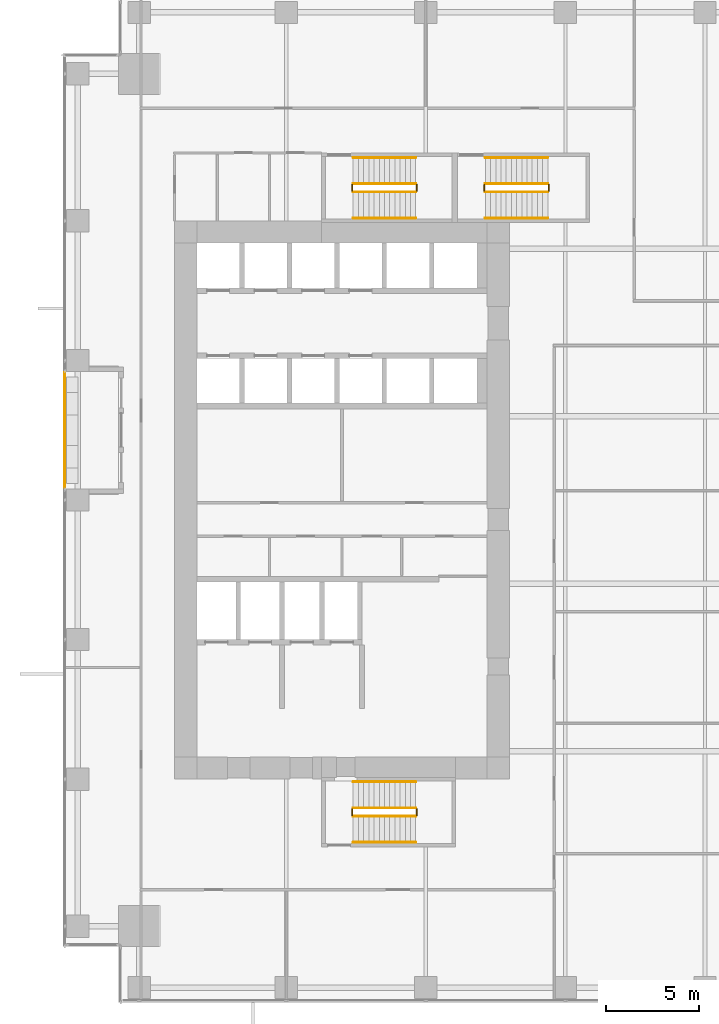
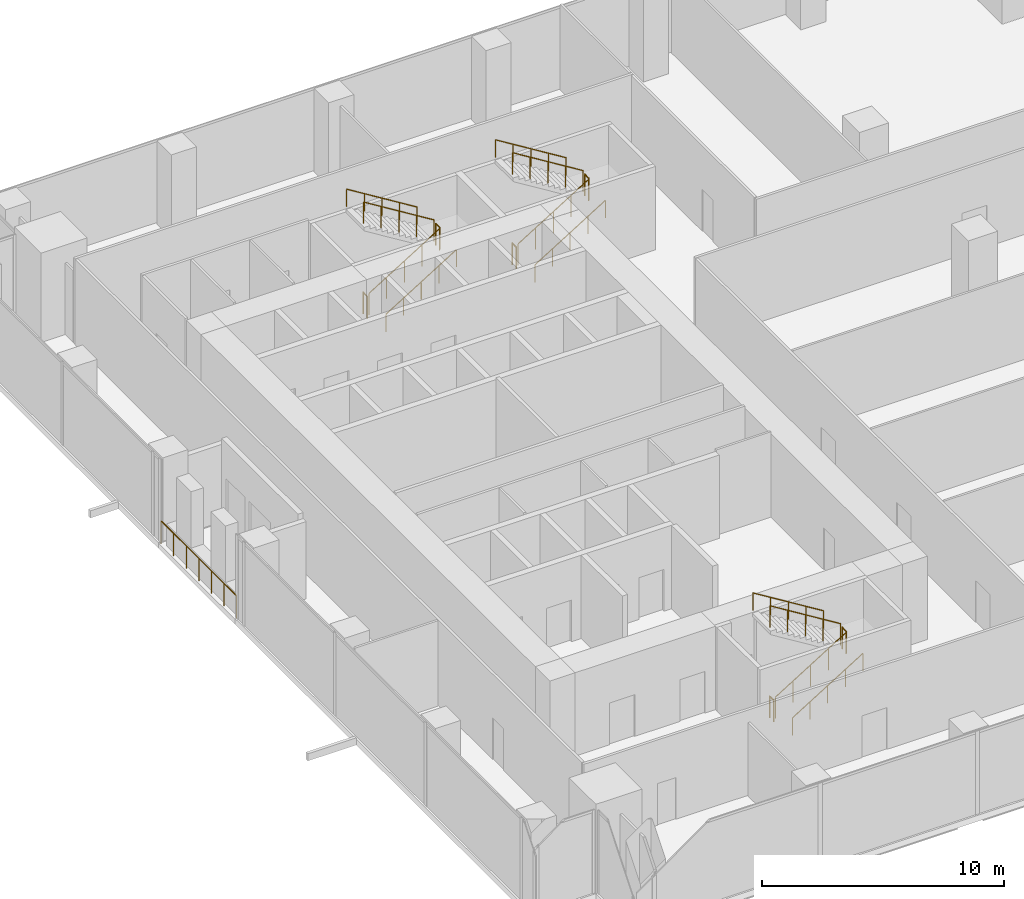
# One storey, part 30 of 32: 19 railings.
"""IFC4 building model written with IfcOpenShell, lengths in metres."""

from ifc_helpers import new_model, si_unit, direction, frame, origin, origin_2d, place, context, subcontext, project, spatial, circle, extrude, source, transform, mapped, material, type_object, element, save


model = new_model("IFC4")

# Units and contexts
model_context = context("Model", 3, precision=1e-05, world=origin(), true_north=direction((0.0, 1.0)))
body_context = subcontext(model_context, "Body", "Model", "MODEL_VIEW")
ifc_project = project(units=[si_unit("LENGTHUNIT", "METRE"), si_unit("AREAUNIT", "SQUARE_METRE"), si_unit("VOLUMEUNIT", "CUBIC_METRE"), si_unit("PLANEANGLEUNIT", "RADIAN"), si_unit("MASSUNIT", "GRAM", prefix="KILO")], contexts=[model_context])

# Site, building, storey
site_placement = place(None, origin())
site = spatial("IfcSite", under=ifc_project, at=site_placement, CompositionType="ELEMENT")
building_placement = place(site_placement, origin())
building = spatial("IfcBuilding", under=site, at=building_placement, Name="Khomas Fold Tower", CompositionType="ELEMENT")
storey_placement = place(building_placement, frame((0.0, 0.0, 64.5)))
storey = spatial("IfcBuildingStorey", under=building, at=storey_placement, Name="L13", CompositionType="ELEMENT", Elevation=64.5)

# Railings
ifc_material_1 = material(Name="Powder-coated steel", Category="steel")
railing_type_1 = type_object("IfcRailingType", Name="Balcony guard", PredefinedType="GUARDRAIL", material=ifc_material_1)
shared_shape_1 = source(origin(), body_context, "Body", "SweptSolid", [
    extrude(circle(Radius=0.02490234375, at=origin_2d()), frame((0.0, 0.0, 1.125), z_axis=(0.0, 1.0, 0.0), x_axis=(-1.0, 0.0, 0.0)), (0.0, 0.0, 1.0), 6.240234375),
    extrude(circle(Radius=0.02001953125, at=origin_2d()), origin(), (0.0, 0.0, 1.0), 1.099853515625),
    extrude(circle(Radius=0.02001953125, at=origin_2d()), frame((0.0, 1.0400390625, 0.0)), (0.0, 0.0, 1.0), 1.099853515625),
    extrude(circle(Radius=0.02001953125, at=origin_2d()), frame((0.0, 2.080078125, 0.0)), (0.0, 0.0, 1.0), 1.099853515625),
    extrude(circle(Radius=0.02001953125, at=origin_2d()), frame((0.0, 3.1201171875, 0.0)), (0.0, 0.0, 1.0), 1.099853515625),
    extrude(circle(Radius=0.02001953125, at=origin_2d()), frame((0.0, 4.16015625, 0.0)), (0.0, 0.0, 1.0), 1.099853515625),
    extrude(circle(Radius=0.02001953125, at=origin_2d()), frame((0.0, 5.2001953125, 0.0)), (0.0, 0.0, 1.0), 1.099853515625),
    extrude(circle(Radius=0.02001953125, at=origin_2d()), frame((0.0, 6.240234375, 0.0)), (0.0, 0.0, 1.0), 1.099853515625),
])
railing_1_placement = place(storey_placement, frame((0.10009765625, 27.6298828125, -0.044921875)))
element("IfcRailing", 1, at=railing_1_placement, inside=storey, type_object=railing_type_1, Name="Balcony guard BAL-L13-W3", PredefinedType="GUARDRAIL", context=body_context, shape_type="MappedRepresentation", body=[
    mapped(shared_shape_1, transform((0.0, 0.0, 0.0))),
])
ifc_material_2 = material(Name="Steel balustrade", Category="steel")
railing_type_2 = type_object("IfcRailingType", Name="Stair guard", PredefinedType="GUARDRAIL", material=ifc_material_2)
shared_shape_2 = source(origin(), body_context, "Body", "SweptSolid", [
    extrude(circle(Radius=0.02392578125, at=origin_2d()), frame((0.0, 0.0, 1.076171875), z_axis=(0.850606129759, 0.0, 0.525803396734), x_axis=(0.0, 1.0, 0.0)), (0.0, 0.0, 1.0), 3.949951171875),
    extrude(circle(Radius=0.02099609375, at=origin_2d()), origin(), (0.0, 0.0, 1.0), 1.052001953125),
    extrude(circle(Radius=0.02099609375, at=origin_2d()), frame((0.83984375, 0.0, 0.519287109375)), (0.0, 0.0, 1.0), 1.052001953125),
    extrude(circle(Radius=0.02099609375, at=origin_2d()), frame((1.679931640625, 0.0, 1.03857421875)), (0.0, 0.0, 1.0), 1.052001953125),
    extrude(circle(Radius=0.02099609375, at=origin_2d()), frame((2.52001953125, 0.0, 1.5576171875)), (0.0, 0.0, 1.0), 1.052001953125),
    extrude(circle(Radius=0.02099609375, at=origin_2d()), frame((3.35986328125, 0.0, 2.076904296875)), (0.0, 0.0, 1.0), 1.052001953125),
])
for number, where, name in (
    (2, (15.60009765625, 43.550048828125, 0.173095703125), "L13 ST1 stair guard 1"),
    (3, (15.60009765625, 10.0, 0.173095703125), "L13 ST2 stair guard 1"),
):
    element("IfcRailing", number, at=place(storey_placement, frame(where)), inside=storey, type_object=railing_type_2, Name=name, PredefinedType="GUARDRAIL", context=body_context, shape_type="MappedRepresentation", body=[
        mapped(shared_shape_2, transform((0.0, 0.0, 0.0))),
    ])
shared_shape_3 = source(origin(), body_context, "Body", "SweptSolid", [
    extrude(circle(Radius=0.02392578125, at=origin_2d()), frame((0.0, 0.0, 1.076171875), z_axis=(0.0, 1.0, 0.0), x_axis=(-1.0, 0.0, 0.0)), (0.0, 0.0, 1.0), 0.349853515625),
    extrude(circle(Radius=0.02099609375, at=origin_2d()), origin(), (0.0, 0.0, 1.0), 1.052001953125),
    extrude(circle(Radius=0.02099609375, at=origin_2d()), frame((0.0, 0.349853515625, 0.0)), (0.0, 0.0, 1.0), 1.052001953125),
])
for number, where, name in (
    (4, (19.010009765625, 43.60009765625, 2.25), "L13 ST1 stair guard 2"),
    (5, (15.550048828125, 43.60009765625, 0.0), "L13 ST1 stair guard 4"),
    (6, (19.010009765625, 10.050048828125, 2.25), "L13 ST2 stair guard 2"),
    (7, (15.550048828125, 10.050048828125, 0.0), "L13 ST2 stair guard 4"),
    (8, (26.110107421875, 43.60009765625, 2.25), "L13 ST3 stair guard 2"),
    (9, (22.64990234375, 43.60009765625, 0.0), "L13 ST3 stair guard 4"),
):
    element("IfcRailing", number, at=place(storey_placement, frame(where)), inside=storey, type_object=railing_type_2, Name=name, PredefinedType="GUARDRAIL", context=body_context, shape_type="MappedRepresentation", body=[
        mapped(shared_shape_3, transform((0.0, 0.0, 0.0))),
    ])
shared_shape_4 = source(origin(), body_context, "Body", "SweptSolid", [
    extrude(circle(Radius=0.02392578125, at=origin_2d()), frame((0.0, 0.0, 1.076171875), z_axis=(-0.850606129759, 0.0, 0.525803396734), x_axis=(0.0, -1.0, 0.0)), (0.0, 0.0, 1.0), 3.949951171875),
    extrude(circle(Radius=0.02099609375, at=origin_2d()), origin(), (0.0, 0.0, 1.0), 1.052001953125),
    extrude(circle(Radius=0.02099609375, at=origin_2d()), frame((-0.83984375, 0.0, 0.519287109375)), (0.0, 0.0, 1.0), 1.052001953125),
    extrude(circle(Radius=0.02099609375, at=origin_2d()), frame((-1.679931640625, 0.0, 1.03857421875)), (0.0, 0.0, 1.0), 1.052001953125),
    extrude(circle(Radius=0.02099609375, at=origin_2d()), frame((-2.52001953125, 0.0, 1.5576171875)), (0.0, 0.0, 1.0), 1.052001953125),
    extrude(circle(Radius=0.02099609375, at=origin_2d()), frame((-3.35986328125, 0.0, 2.076904296875)), (0.0, 0.0, 1.0), 1.052001953125),
])
for number, where, name in (
    (10, (18.9599609375, 44.0, 2.423095703125), "L13 ST1 stair guard 3"),
    (11, (18.9599609375, 10.449951171875, 2.423095703125), "L13 ST2 stair guard 3"),
):
    element("IfcRailing", number, at=place(storey_placement, frame(where)), inside=storey, type_object=railing_type_2, Name=name, PredefinedType="GUARDRAIL", context=body_context, shape_type="MappedRepresentation", body=[
        mapped(shared_shape_4, transform((0.0, 0.0, 0.0))),
    ])
ifc_material_3 = material(Name="Steel handrail", Category="steel")
railing_type_3 = type_object("IfcRailingType", Name="Stair handrail", PredefinedType="HANDRAIL", material=ifc_material_3)
shared_shape_5 = source(origin(), body_context, "Body", "SweptSolid", [
    extrude(circle(Radius=0.02392578125, at=origin_2d()), frame((0.0, 0.0, 0.8759765625), z_axis=(0.850606129759, 0.0, 0.525803396734), x_axis=(0.0, 1.0, 0.0)), (0.0, 0.0, 1.0), 3.949951171875),
    extrude(circle(Radius=0.02099609375, at=origin_2d()), origin(), (0.0, 0.0, 1.0), 0.851806640625),
    extrude(circle(Radius=0.02099609375, at=origin_2d()), frame((0.83984375, 0.0, 0.519287109375)), (0.0, 0.0, 1.0), 0.851806640625),
    extrude(circle(Radius=0.02099609375, at=origin_2d()), frame((1.679931640625, 0.0, 1.03857421875)), (0.0, 0.0, 1.0), 0.851806640625),
    extrude(circle(Radius=0.02099609375, at=origin_2d()), frame((2.52001953125, 0.0, 1.5576171875)), (0.0, 0.0, 1.0), 0.851806640625),
    extrude(circle(Radius=0.02099609375, at=origin_2d()), frame((3.35986328125, 0.0, 2.076904296875)), (0.0, 0.0, 1.0), 0.851806640625),
])
for number, where, name in (
    (12, (15.60009765625, 42.14990234375, 0.173095703125), "L13 ST1 stair handrail 1"),
    (13, (15.60009765625, 8.60009765625, 0.173095703125), "L13 ST2 stair handrail 1"),
):
    element("IfcRailing", number, at=place(storey_placement, frame(where)), inside=storey, type_object=railing_type_3, Name=name, PredefinedType="HANDRAIL", context=body_context, shape_type="MappedRepresentation", body=[
        mapped(shared_shape_5, transform((0.0, 0.0, 0.0))),
    ])
shared_shape_6 = source(origin(), body_context, "Body", "SweptSolid", [
    extrude(circle(Radius=0.02392578125, at=origin_2d()), frame((0.0, 0.0, 0.8759765625), z_axis=(-0.850606129759, 0.0, 0.525803396734), x_axis=(0.0, -1.0, 0.0)), (0.0, 0.0, 1.0), 3.949951171875),
    extrude(circle(Radius=0.02099609375, at=origin_2d()), origin(), (0.0, 0.0, 1.0), 0.851806640625),
    extrude(circle(Radius=0.02099609375, at=origin_2d()), frame((-0.83984375, 0.0, 0.519287109375)), (0.0, 0.0, 1.0), 0.851806640625),
    extrude(circle(Radius=0.02099609375, at=origin_2d()), frame((-1.679931640625, 0.0, 1.03857421875)), (0.0, 0.0, 1.0), 0.851806640625),
    extrude(circle(Radius=0.02099609375, at=origin_2d()), frame((-2.52001953125, 0.0, 1.5576171875)), (0.0, 0.0, 1.0), 0.851806640625),
    extrude(circle(Radius=0.02099609375, at=origin_2d()), frame((-3.35986328125, 0.0, 2.076904296875)), (0.0, 0.0, 1.0), 0.851806640625),
])
for number, where, name in (
    (14, (18.9599609375, 45.39990234375, 2.423095703125), "L13 ST1 stair handrail 2"),
    (15, (18.9599609375, 11.85009765625, 2.423095703125), "L13 ST2 stair handrail 2"),
):
    element("IfcRailing", number, at=place(storey_placement, frame(where)), inside=storey, type_object=railing_type_3, Name=name, PredefinedType="HANDRAIL", context=body_context, shape_type="MappedRepresentation", body=[
        mapped(shared_shape_6, transform((0.0, 0.0, 0.0))),
    ])
shared_shape_7 = source(origin(), body_context, "Body", "SweptSolid", [
    extrude(circle(Radius=0.02392578125, at=origin_2d()), frame((0.0, 0.0, 1.076171875), z_axis=(0.850623216509, 0.0, 0.525775754039), x_axis=(0.0, 1.0, 0.0)), (0.0, 0.0, 1.0), 3.9501953125),
    extrude(circle(Radius=0.02099609375, at=origin_2d()), origin(), (0.0, 0.0, 1.0), 1.052001953125),
    extrude(circle(Radius=0.02099609375, at=origin_2d()), frame((0.840087890625, 0.0, 0.519287109375)), (0.0, 0.0, 1.0), 1.052001953125),
    extrude(circle(Radius=0.02099609375, at=origin_2d()), frame((1.68017578125, 0.0, 1.03857421875)), (0.0, 0.0, 1.0), 1.052001953125),
    extrude(circle(Radius=0.02099609375, at=origin_2d()), frame((2.52001953125, 0.0, 1.5576171875)), (0.0, 0.0, 1.0), 1.052001953125),
    extrude(circle(Radius=0.02099609375, at=origin_2d()), frame((3.360107421875, 0.0, 2.076904296875)), (0.0, 0.0, 1.0), 1.052001953125),
])
railing_2_placement = place(storey_placement, frame((22.699951171875, 43.550048828125, 0.173095703125)))
element("IfcRailing", 16, at=railing_2_placement, inside=storey, type_object=railing_type_2, Name="L13 ST3 stair guard 1", PredefinedType="GUARDRAIL", context=body_context, shape_type="MappedRepresentation", body=[
    mapped(shared_shape_7, transform((0.0, 0.0, 0.0))),
])
shared_shape_8 = source(origin(), body_context, "Body", "SweptSolid", [
    extrude(circle(Radius=0.02392578125, at=origin_2d()), frame((0.0, 0.0, 1.076171875), z_axis=(-0.850623216509, 0.0, 0.525775754039), x_axis=(0.0, -1.0, 0.0)), (0.0, 0.0, 1.0), 3.9501953125),
    extrude(circle(Radius=0.02099609375, at=origin_2d()), origin(), (0.0, 0.0, 1.0), 1.052001953125),
    extrude(circle(Radius=0.02099609375, at=origin_2d()), frame((-0.840087890625, 0.0, 0.519287109375)), (0.0, 0.0, 1.0), 1.052001953125),
    extrude(circle(Radius=0.02099609375, at=origin_2d()), frame((-1.68017578125, 0.0, 1.03857421875)), (0.0, 0.0, 1.0), 1.052001953125),
    extrude(circle(Radius=0.02099609375, at=origin_2d()), frame((-2.52001953125, 0.0, 1.5576171875)), (0.0, 0.0, 1.0), 1.052001953125),
    extrude(circle(Radius=0.02099609375, at=origin_2d()), frame((-3.360107421875, 0.0, 2.076904296875)), (0.0, 0.0, 1.0), 1.052001953125),
])
railing_3_placement = place(storey_placement, frame((26.06005859375, 44.0, 2.423095703125)))
element("IfcRailing", 17, at=railing_3_placement, inside=storey, type_object=railing_type_2, Name="L13 ST3 stair guard 3", PredefinedType="GUARDRAIL", context=body_context, shape_type="MappedRepresentation", body=[
    mapped(shared_shape_8, transform((0.0, 0.0, 0.0))),
])
shared_shape_9 = source(origin(), body_context, "Body", "SweptSolid", [
    extrude(circle(Radius=0.02392578125, at=origin_2d()), frame((0.0, 0.0, 0.8759765625), z_axis=(0.850623216509, 0.0, 0.525775754039), x_axis=(0.0, 1.0, 0.0)), (0.0, 0.0, 1.0), 3.9501953125),
    extrude(circle(Radius=0.02099609375, at=origin_2d()), origin(), (0.0, 0.0, 1.0), 0.851806640625),
    extrude(circle(Radius=0.02099609375, at=origin_2d()), frame((0.840087890625, 0.0, 0.519287109375)), (0.0, 0.0, 1.0), 0.851806640625),
    extrude(circle(Radius=0.02099609375, at=origin_2d()), frame((1.68017578125, 0.0, 1.03857421875)), (0.0, 0.0, 1.0), 0.851806640625),
    extrude(circle(Radius=0.02099609375, at=origin_2d()), frame((2.52001953125, 0.0, 1.5576171875)), (0.0, 0.0, 1.0), 0.851806640625),
    extrude(circle(Radius=0.02099609375, at=origin_2d()), frame((3.360107421875, 0.0, 2.076904296875)), (0.0, 0.0, 1.0), 0.851806640625),
])
railing_4_placement = place(storey_placement, frame((22.699951171875, 42.14990234375, 0.173095703125)))
element("IfcRailing", 18, at=railing_4_placement, inside=storey, type_object=railing_type_3, Name="L13 ST3 stair handrail 1", PredefinedType="HANDRAIL", context=body_context, shape_type="MappedRepresentation", body=[
    mapped(shared_shape_9, transform((0.0, 0.0, 0.0))),
])
shared_shape_10 = source(origin(), body_context, "Body", "SweptSolid", [
    extrude(circle(Radius=0.02392578125, at=origin_2d()), frame((0.0, 0.0, 0.8759765625), z_axis=(-0.850623216509, 0.0, 0.525775754039), x_axis=(0.0, -1.0, 0.0)), (0.0, 0.0, 1.0), 3.9501953125),
    extrude(circle(Radius=0.02099609375, at=origin_2d()), origin(), (0.0, 0.0, 1.0), 0.851806640625),
    extrude(circle(Radius=0.02099609375, at=origin_2d()), frame((-0.840087890625, 0.0, 0.519287109375)), (0.0, 0.0, 1.0), 0.851806640625),
    extrude(circle(Radius=0.02099609375, at=origin_2d()), frame((-1.68017578125, 0.0, 1.03857421875)), (0.0, 0.0, 1.0), 0.851806640625),
    extrude(circle(Radius=0.02099609375, at=origin_2d()), frame((-2.52001953125, 0.0, 1.5576171875)), (0.0, 0.0, 1.0), 0.851806640625),
    extrude(circle(Radius=0.02099609375, at=origin_2d()), frame((-3.360107421875, 0.0, 2.076904296875)), (0.0, 0.0, 1.0), 0.851806640625),
])
railing_5_placement = place(storey_placement, frame((26.06005859375, 45.39990234375, 2.423095703125)))
element("IfcRailing", 19, at=railing_5_placement, inside=storey, type_object=railing_type_3, Name="L13 ST3 stair handrail 2", PredefinedType="HANDRAIL", context=body_context, shape_type="MappedRepresentation", body=[
    mapped(shared_shape_10, transform((0.0, 0.0, 0.0))),
])

save(model, "model.ifc")
